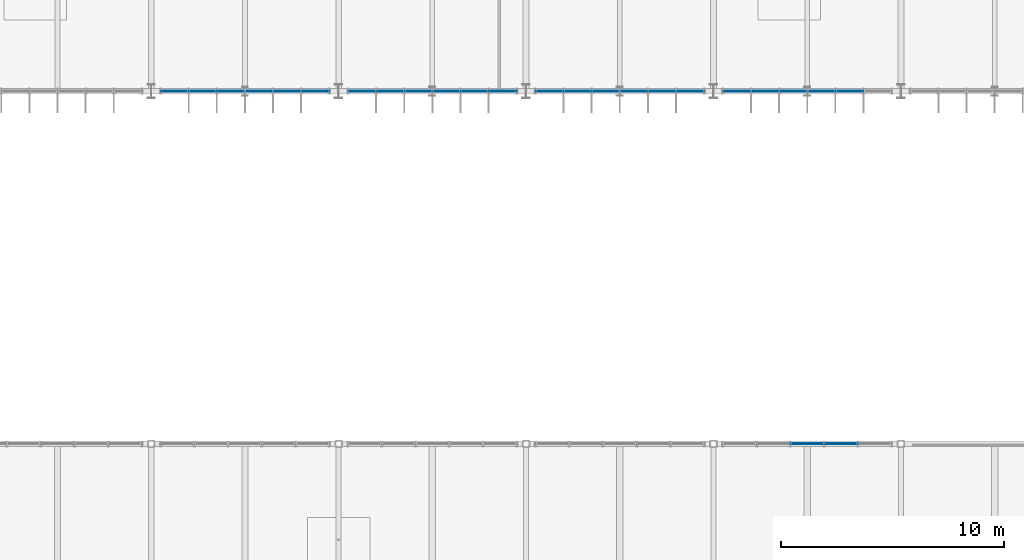
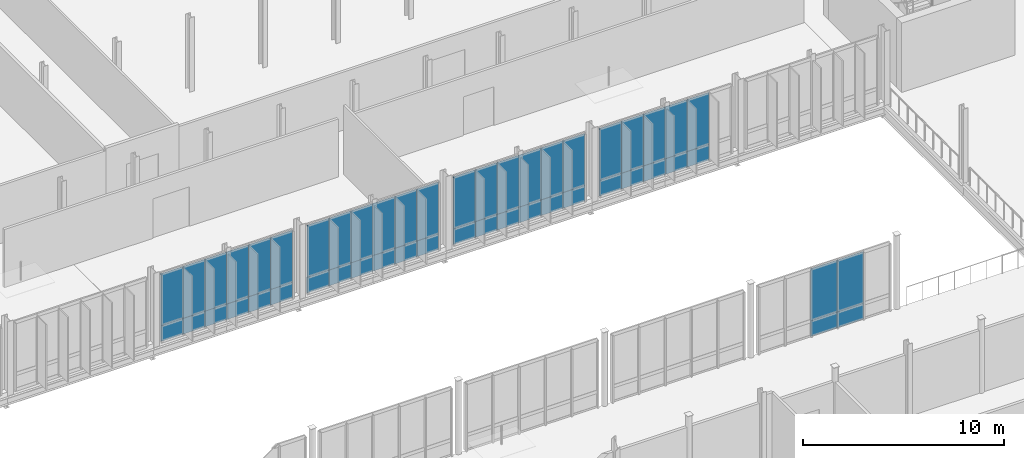
# One storey, part 89 of 139: 50 plates, 5 elements without a shape of their own.
"""IFC4 building model written with IfcOpenShell, lengths in metres."""

from ifc_helpers import new_model, si_unit, derived_unit, direction, frame, origin, origin_2d, place, context, subcontext, project, spatial, rectangle, extrude, material, layer, layer_set, type_object, element, aggregate, save


model = new_model("IFC4")

# Units and contexts
model_context = context("Model", 3, precision=1e-05, world=origin(), true_north=direction((0.0, 1.0)))
body_context = subcontext(model_context, "Body", "Model", "MODEL_VIEW")
ifc_project = project(units=[si_unit("LENGTHUNIT", "METRE"), si_unit("AREAUNIT", "SQUARE_METRE"), si_unit("VOLUMEUNIT", "CUBIC_METRE"), si_unit("PLANEANGLEUNIT", "RADIAN"), si_unit("MASSUNIT", "GRAM", prefix="KILO"), derived_unit("THERMALTRANSMITTANCEUNIT", [(si_unit("MASSUNIT", "GRAM", prefix="KILO"), 1), (si_unit("TIMEUNIT", "SECOND"), -3), (si_unit("THERMODYNAMICTEMPERATUREUNIT", "KELVIN"), -1)])], contexts=[model_context])

# Site, building, storey
site_placement = place(None, origin())
site = spatial("IfcSite", under=ifc_project, at=site_placement, CompositionType="ELEMENT")
building_placement = place(site_placement, origin())
building = spatial("IfcBuilding", under=site, at=building_placement, Name="Makaiwela Harbour Ferry Terminal", CompositionType="ELEMENT")
storey_placement = place(building_placement, frame((0.0, 0.0, 5.10009765625)))
storey = spatial("IfcBuildingStorey", under=building, at=storey_placement, Name="L01", CompositionType="ELEMENT", Elevation=5.10009765625)

# Curtain wall, plates
ifc_material_1 = material(Name="Marine anodised aluminium 6063-T6", Category="aluminium")
ifc_layer_1 = layer(ifc_material_1, 0.199951171875)
ifc_layer_set_1 = layer_set([ifc_layer_1], Name="Marine anodised aluminium 6063-T6")
curtain_wall_type = type_object("IfcCurtainWallType", Name="ENV-CW-08", PredefinedType="USERDEFINED", material=ifc_layer_set_1)
curtain_wall_1_placement = place(storey_placement, origin())
curtain_wall_1 = element("IfcCurtainWall", 1, at=curtain_wall_1_placement, inside=storey, type_object=curtain_wall_type, Name="Unitised Curtain Wall CWA-082", ObjectType="UNITIZED CURTAIN WALL", PredefinedType="USERDEFINED")
ifc_material_2 = material(Name="Laminated hurricane-impact low-E insulated glazing", Category="glass")
ifc_layer_2 = layer(ifc_material_2, 0.031982421875)
ifc_layer_set_2 = layer_set([ifc_layer_2], Name="Laminated hurricane-impact low-E insulated glazing")
plate_type_1 = type_object("IfcPlateType", Name="CW-PNL-G12", PredefinedType="CURTAIN_PANEL", material=ifc_layer_set_2)
plate_1_placement = place(storey_placement, frame((103.949951171875, 49.39990234375, 0.949951171875), z_axis=(0.0, 0.0, 1.0), x_axis=(-1.0, 0.0, 0.0)))
plate_1 = element("IfcPlate", 2, at=plate_1_placement, type_object=plate_type_1, Name="Glazed Vision Panel CWA-082-1G", PredefinedType="CURTAIN_PANEL", context=body_context, shape_type="SweptSolid", body=[
    extrude(rectangle(XDim=1.260009765625, YDim=0.031982421875, at=origin_2d()), origin(), (0.0, 0.0, 1.0), 3.14990234375),
])
plate_2_placement = place(storey_placement, frame((102.68994140625, 49.39990234375, 0.949951171875), z_axis=(0.0, 0.0, 1.0), x_axis=(-1.0, 0.0, 0.0)))
plate_2 = element("IfcPlate", 3, at=plate_2_placement, type_object=plate_type_1, Name="Glazed Vision Panel CWA-082-2G", PredefinedType="CURTAIN_PANEL", context=body_context, shape_type="SweptSolid", body=[
    extrude(rectangle(XDim=1.260009765625, YDim=0.031982421875, at=origin_2d()), origin(), (0.0, 0.0, 1.0), 3.14990234375),
])
plate_3_placement = place(storey_placement, frame((101.429931640625, 49.39990234375, 0.949951171875), z_axis=(0.0, 0.0, 1.0), x_axis=(-1.0, 0.0, 0.0)))
plate_3 = element("IfcPlate", 4, at=plate_3_placement, type_object=plate_type_1, Name="Glazed Vision Panel CWA-082-3G", PredefinedType="CURTAIN_PANEL", context=body_context, shape_type="SweptSolid", body=[
    extrude(rectangle(XDim=1.260009765625, YDim=0.031982421875, at=origin_2d()), origin(), (0.0, 0.0, 1.0), 3.14990234375),
])
plate_4_placement = place(storey_placement, frame((100.169921875, 49.39990234375, 0.949951171875), z_axis=(0.0, 0.0, 1.0), x_axis=(-1.0, 0.0, 0.0)))
plate_4 = element("IfcPlate", 5, at=plate_4_placement, type_object=plate_type_1, Name="Glazed Vision Panel CWA-082-4G", PredefinedType="CURTAIN_PANEL", context=body_context, shape_type="SweptSolid", body=[
    extrude(rectangle(XDim=1.260009765625, YDim=0.031982421875, at=origin_2d()), origin(), (0.0, 0.0, 1.0), 3.14990234375),
])
plate_5_placement = place(storey_placement, frame((98.909912109375, 49.39990234375, 0.949951171875), z_axis=(0.0, 0.0, 1.0), x_axis=(-1.0, 0.0, 0.0)))
plate_5 = element("IfcPlate", 6, at=plate_5_placement, type_object=plate_type_1, Name="Glazed Vision Panel CWA-082-5G", PredefinedType="CURTAIN_PANEL", context=body_context, shape_type="SweptSolid", body=[
    extrude(rectangle(XDim=1.260009765625, YDim=0.031982421875, at=origin_2d()), origin(), (0.0, 0.0, 1.0), 3.14990234375),
])
plate_6_placement = place(storey_placement, frame((97.64990234375, 49.39990234375, 0.949951171875), z_axis=(0.0, 0.0, 1.0), x_axis=(-1.0, 0.0, 0.0)))
plate_6 = element("IfcPlate", 7, at=plate_6_placement, type_object=plate_type_1, Name="Glazed Vision Panel CWA-082-6G", PredefinedType="CURTAIN_PANEL", context=body_context, shape_type="SweptSolid", body=[
    extrude(rectangle(XDim=1.260009765625, YDim=0.031982421875, at=origin_2d()), origin(), (0.0, 0.0, 1.0), 3.14990234375),
])

curtain_wall_2_placement = place(storey_placement, origin())
curtain_wall_2 = element("IfcCurtainWall", 8, at=curtain_wall_2_placement, inside=storey, type_object=curtain_wall_type, Name="Unitised Curtain Wall CWA-085", ObjectType="UNITIZED CURTAIN WALL", PredefinedType="USERDEFINED")
plate_7_placement = place(storey_placement, frame((112.35009765625, 49.39990234375, 0.949951171875), z_axis=(0.0, 0.0, 1.0), x_axis=(-1.0, 0.0, 0.0)))
plate_7 = element("IfcPlate", 9, at=plate_7_placement, type_object=plate_type_1, Name="Glazed Vision Panel CWA-085-1G", PredefinedType="CURTAIN_PANEL", context=body_context, shape_type="SweptSolid", body=[
    extrude(rectangle(XDim=1.260009765625, YDim=0.031982421875, at=origin_2d()), origin(), (0.0, 0.0, 1.0), 3.14990234375),
])
plate_8_placement = place(storey_placement, frame((111.090087890625, 49.39990234375, 0.949951171875), z_axis=(0.0, 0.0, 1.0), x_axis=(-1.0, 0.0, 0.0)))
plate_8 = element("IfcPlate", 10, at=plate_8_placement, type_object=plate_type_1, Name="Glazed Vision Panel CWA-085-2G", PredefinedType="CURTAIN_PANEL", context=body_context, shape_type="SweptSolid", body=[
    extrude(rectangle(XDim=1.260009765625, YDim=0.031982421875, at=origin_2d()), origin(), (0.0, 0.0, 1.0), 3.14990234375),
])
plate_9_placement = place(storey_placement, frame((109.830078125, 49.39990234375, 0.949951171875), z_axis=(0.0, 0.0, 1.0), x_axis=(-1.0, 0.0, 0.0)))
plate_9 = element("IfcPlate", 11, at=plate_9_placement, type_object=plate_type_1, Name="Glazed Vision Panel CWA-085-3G", PredefinedType="CURTAIN_PANEL", context=body_context, shape_type="SweptSolid", body=[
    extrude(rectangle(XDim=1.260009765625, YDim=0.031982421875, at=origin_2d()), origin(), (0.0, 0.0, 1.0), 3.14990234375),
])
plate_10_placement = place(storey_placement, frame((108.570068359375, 49.39990234375, 0.949951171875), z_axis=(0.0, 0.0, 1.0), x_axis=(-1.0, 0.0, 0.0)))
plate_10 = element("IfcPlate", 12, at=plate_10_placement, type_object=plate_type_1, Name="Glazed Vision Panel CWA-085-4G", PredefinedType="CURTAIN_PANEL", context=body_context, shape_type="SweptSolid", body=[
    extrude(rectangle(XDim=1.260009765625, YDim=0.031982421875, at=origin_2d()), origin(), (0.0, 0.0, 1.0), 3.14990234375),
])
plate_11_placement = place(storey_placement, frame((107.31005859375, 49.39990234375, 0.949951171875), z_axis=(0.0, 0.0, 1.0), x_axis=(-1.0, 0.0, 0.0)))
plate_11 = element("IfcPlate", 13, at=plate_11_placement, type_object=plate_type_1, Name="Glazed Vision Panel CWA-085-5G", PredefinedType="CURTAIN_PANEL", context=body_context, shape_type="SweptSolid", body=[
    extrude(rectangle(XDim=1.260009765625, YDim=0.031982421875, at=origin_2d()), origin(), (0.0, 0.0, 1.0), 3.14990234375),
])
plate_12_placement = place(storey_placement, frame((106.050048828125, 49.39990234375, 0.949951171875), z_axis=(0.0, 0.0, 1.0), x_axis=(-1.0, 0.0, 0.0)))
plate_12 = element("IfcPlate", 14, at=plate_12_placement, type_object=plate_type_1, Name="Glazed Vision Panel CWA-085-6G", PredefinedType="CURTAIN_PANEL", context=body_context, shape_type="SweptSolid", body=[
    extrude(rectangle(XDim=1.260009765625, YDim=0.031982421875, at=origin_2d()), origin(), (0.0, 0.0, 1.0), 3.14990234375),
])

curtain_wall_3_placement = place(storey_placement, origin())
curtain_wall_3 = element("IfcCurtainWall", 15, at=curtain_wall_3_placement, inside=storey, type_object=curtain_wall_type, Name="Unitised Curtain Wall CWA-088", ObjectType="UNITIZED CURTAIN WALL", PredefinedType="USERDEFINED")
plate_13_placement = place(storey_placement, frame((120.75, 49.39990234375, 0.949951171875), z_axis=(0.0, 0.0, 1.0), x_axis=(-1.0, 0.0, 0.0)))
plate_13 = element("IfcPlate", 16, at=plate_13_placement, type_object=plate_type_1, Name="Glazed Vision Panel CWA-088-1G", PredefinedType="CURTAIN_PANEL", context=body_context, shape_type="SweptSolid", body=[
    extrude(rectangle(XDim=1.260009765625, YDim=0.031982421875, at=origin_2d()), origin(), (0.0, 0.0, 1.0), 3.14990234375),
])
plate_14_placement = place(storey_placement, frame((119.489990234375, 49.39990234375, 0.949951171875), z_axis=(0.0, 0.0, 1.0), x_axis=(-1.0, 0.0, 0.0)))
plate_14 = element("IfcPlate", 17, at=plate_14_placement, type_object=plate_type_1, Name="Glazed Vision Panel CWA-088-2G", PredefinedType="CURTAIN_PANEL", context=body_context, shape_type="SweptSolid", body=[
    extrude(rectangle(XDim=1.260009765625, YDim=0.031982421875, at=origin_2d()), origin(), (0.0, 0.0, 1.0), 3.14990234375),
])
plate_15_placement = place(storey_placement, frame((118.22998046875, 49.39990234375, 0.949951171875), z_axis=(0.0, 0.0, 1.0), x_axis=(-1.0, 0.0, 0.0)))
plate_15 = element("IfcPlate", 18, at=plate_15_placement, type_object=plate_type_1, Name="Glazed Vision Panel CWA-088-3G", PredefinedType="CURTAIN_PANEL", context=body_context, shape_type="SweptSolid", body=[
    extrude(rectangle(XDim=1.260009765625, YDim=0.031982421875, at=origin_2d()), origin(), (0.0, 0.0, 1.0), 3.14990234375),
])
plate_16_placement = place(storey_placement, frame((116.969970703125, 49.39990234375, 0.949951171875), z_axis=(0.0, 0.0, 1.0), x_axis=(-1.0, 0.0, 0.0)))
plate_16 = element("IfcPlate", 19, at=plate_16_placement, type_object=plate_type_1, Name="Glazed Vision Panel CWA-088-4G", PredefinedType="CURTAIN_PANEL", context=body_context, shape_type="SweptSolid", body=[
    extrude(rectangle(XDim=1.260009765625, YDim=0.031982421875, at=origin_2d()), origin(), (0.0, 0.0, 1.0), 3.14990234375),
])
plate_17_placement = place(storey_placement, frame((115.7099609375, 49.39990234375, 0.949951171875), z_axis=(0.0, 0.0, 1.0), x_axis=(-1.0, 0.0, 0.0)))
plate_17 = element("IfcPlate", 20, at=plate_17_placement, type_object=plate_type_1, Name="Glazed Vision Panel CWA-088-5G", PredefinedType="CURTAIN_PANEL", context=body_context, shape_type="SweptSolid", body=[
    extrude(rectangle(XDim=1.260009765625, YDim=0.031982421875, at=origin_2d()), origin(), (0.0, 0.0, 1.0), 3.14990234375),
])
plate_18_placement = place(storey_placement, frame((114.449951171875, 49.39990234375, 0.949951171875), z_axis=(0.0, 0.0, 1.0), x_axis=(-1.0, 0.0, 0.0)))
plate_18 = element("IfcPlate", 21, at=plate_18_placement, type_object=plate_type_1, Name="Glazed Vision Panel CWA-088-6G", PredefinedType="CURTAIN_PANEL", context=body_context, shape_type="SweptSolid", body=[
    extrude(rectangle(XDim=1.260009765625, YDim=0.031982421875, at=origin_2d()), origin(), (0.0, 0.0, 1.0), 3.14990234375),
])

curtain_wall_4_placement = place(storey_placement, origin())
curtain_wall_4 = element("IfcCurtainWall", 22, at=curtain_wall_4_placement, inside=storey, type_object=curtain_wall_type, Name="Unitised Curtain Wall CWA-092", ObjectType="UNITIZED CURTAIN WALL", PredefinedType="USERDEFINED")
plate_19_placement = place(storey_placement, frame((127.889892578125, 49.39990234375, 0.949951171875), z_axis=(0.0, 0.0, 1.0), x_axis=(-1.0, 0.0, 0.0)))
plate_19 = element("IfcPlate", 23, at=plate_19_placement, type_object=plate_type_1, Name="Glazed Vision Panel CWA-092-2G", PredefinedType="CURTAIN_PANEL", context=body_context, shape_type="SweptSolid", body=[
    extrude(rectangle(XDim=1.260009765625, YDim=0.031982421875, at=origin_2d()), origin(), (0.0, 0.0, 1.0), 3.14990234375),
])
plate_20_placement = place(storey_placement, frame((126.6298828125, 49.39990234375, 0.949951171875), z_axis=(0.0, 0.0, 1.0), x_axis=(-1.0, 0.0, 0.0)))
plate_20 = element("IfcPlate", 24, at=plate_20_placement, type_object=plate_type_1, Name="Glazed Vision Panel CWA-092-3G", PredefinedType="CURTAIN_PANEL", context=body_context, shape_type="SweptSolid", body=[
    extrude(rectangle(XDim=1.260009765625, YDim=0.031982421875, at=origin_2d()), origin(), (0.0, 0.0, 1.0), 3.14990234375),
])
plate_21_placement = place(storey_placement, frame((125.3701171875, 49.39990234375, 0.949951171875), z_axis=(0.0, 0.0, 1.0), x_axis=(-1.0, 0.0, 0.0)))
plate_21 = element("IfcPlate", 25, at=plate_21_placement, type_object=plate_type_1, Name="Glazed Vision Panel CWA-092-4G", PredefinedType="CURTAIN_PANEL", context=body_context, shape_type="SweptSolid", body=[
    extrude(rectangle(XDim=1.260009765625, YDim=0.031982421875, at=origin_2d()), origin(), (0.0, 0.0, 1.0), 3.14990234375),
])
plate_22_placement = place(storey_placement, frame((124.110107421875, 49.39990234375, 0.949951171875), z_axis=(0.0, 0.0, 1.0), x_axis=(-1.0, 0.0, 0.0)))
plate_22 = element("IfcPlate", 26, at=plate_22_placement, type_object=plate_type_1, Name="Glazed Vision Panel CWA-092-5G", PredefinedType="CURTAIN_PANEL", context=body_context, shape_type="SweptSolid", body=[
    extrude(rectangle(XDim=1.260009765625, YDim=0.031982421875, at=origin_2d()), origin(), (0.0, 0.0, 1.0), 3.14990234375),
])
plate_23_placement = place(storey_placement, frame((122.85009765625, 49.39990234375, 0.949951171875), z_axis=(0.0, 0.0, 1.0), x_axis=(-1.0, 0.0, 0.0)))
plate_23 = element("IfcPlate", 27, at=plate_23_placement, type_object=plate_type_1, Name="Glazed Vision Panel CWA-092-6G", PredefinedType="CURTAIN_PANEL", context=body_context, shape_type="SweptSolid", body=[
    extrude(rectangle(XDim=1.260009765625, YDim=0.031982421875, at=origin_2d()), origin(), (0.0, 0.0, 1.0), 3.14990234375),
])

curtain_wall_5_placement = place(storey_placement, origin())
curtain_wall_5 = element("IfcCurtainWall", 28, at=curtain_wall_5_placement, inside=storey, type_object=curtain_wall_type, Name="Unitised Curtain Wall CWA-151", ObjectType="UNITIZED CURTAIN WALL", PredefinedType="USERDEFINED")
ifc_layer_3 = layer(ifc_material_2, 0.031982421875)
ifc_layer_set_3 = layer_set([ifc_layer_3], Name="Laminated hurricane-impact low-E insulated glazing")
plate_type_2 = type_object("IfcPlateType", Name="CW-PNL-G32", PredefinedType="CURTAIN_PANEL", material=ifc_layer_set_3)
plate_24_placement = place(storey_placement, frame((127.511962890625, 33.60009765625, 0.949951171875), z_axis=(0.0, 0.0, 1.0), x_axis=(-1.0, 0.0, 0.0)))
plate_24 = element("IfcPlate", 29, at=plate_24_placement, type_object=plate_type_2, Name="Glazed Vision Panel CWA-151-2G", PredefinedType="CURTAIN_PANEL", context=body_context, shape_type="SweptSolid", body=[
    extrude(rectangle(XDim=1.511962890625, YDim=0.031982421875, at=origin_2d()), origin(), (0.0, 0.0, 1.0), 3.14990234375),
])
plate_25_placement = place(storey_placement, frame((126.0, 33.60009765625, 0.949951171875), z_axis=(0.0, 0.0, 1.0), x_axis=(-1.0, 0.0, 0.0)))
plate_25 = element("IfcPlate", 30, at=plate_25_placement, type_object=plate_type_2, Name="Glazed Vision Panel CWA-151-3G", PredefinedType="CURTAIN_PANEL", context=body_context, shape_type="SweptSolid", body=[
    extrude(rectangle(XDim=1.511962890625, YDim=0.031982421875, at=origin_2d()), origin(), (0.0, 0.0, 1.0), 3.14990234375),
])

# Plate
ifc_material_3 = material(Name="Insulated marine aluminium spandrel panel", Category="aluminium")
ifc_layer_4 = layer(ifc_material_3, 0.048095703125)
ifc_layer_set_4 = layer_set([ifc_layer_4], Name="Insulated marine aluminium spandrel panel")
plate_type_3 = type_object("IfcPlateType", Name="CW-PNL-S11", PredefinedType="CURTAIN_PANEL", material=ifc_layer_set_4)
plate_26_placement = place(storey_placement, frame((103.949951171875, 49.39990234375, 0.0), z_axis=(0.0, 0.0, 1.0), x_axis=(-1.0, 0.0, 0.0)))
plate_26 = element("IfcPlate", 31, at=plate_26_placement, type_object=plate_type_3, Name="Spandrel Panel CWA-082-1S", PredefinedType="CURTAIN_PANEL", context=body_context, shape_type="SweptSolid", body=[
    extrude(rectangle(XDim=1.260009765625, YDim=0.048095703125, at=origin_2d()), origin(), (0.0, 0.0, 1.0), 0.949951171875),
])

plate_27_placement = place(storey_placement, frame((102.68994140625, 49.39990234375, 0.0), z_axis=(0.0, 0.0, 1.0), x_axis=(-1.0, 0.0, 0.0)))
plate_27 = element("IfcPlate", 32, at=plate_27_placement, type_object=plate_type_3, Name="Spandrel Panel CWA-082-2S", PredefinedType="CURTAIN_PANEL", context=body_context, shape_type="SweptSolid", body=[
    extrude(rectangle(XDim=1.260009765625, YDim=0.048095703125, at=origin_2d()), origin(), (0.0, 0.0, 1.0), 0.949951171875),
])

plate_28_placement = place(storey_placement, frame((101.429931640625, 49.39990234375, 0.0), z_axis=(0.0, 0.0, 1.0), x_axis=(-1.0, 0.0, 0.0)))
plate_28 = element("IfcPlate", 33, at=plate_28_placement, type_object=plate_type_3, Name="Spandrel Panel CWA-082-3S", PredefinedType="CURTAIN_PANEL", context=body_context, shape_type="SweptSolid", body=[
    extrude(rectangle(XDim=1.260009765625, YDim=0.048095703125, at=origin_2d()), origin(), (0.0, 0.0, 1.0), 0.949951171875),
])

plate_29_placement = place(storey_placement, frame((100.169921875, 49.39990234375, 0.0), z_axis=(0.0, 0.0, 1.0), x_axis=(-1.0, 0.0, 0.0)))
plate_29 = element("IfcPlate", 34, at=plate_29_placement, type_object=plate_type_3, Name="Spandrel Panel CWA-082-4S", PredefinedType="CURTAIN_PANEL", context=body_context, shape_type="SweptSolid", body=[
    extrude(rectangle(XDim=1.260009765625, YDim=0.048095703125, at=origin_2d()), origin(), (0.0, 0.0, 1.0), 0.949951171875),
])

plate_30_placement = place(storey_placement, frame((98.909912109375, 49.39990234375, 0.0), z_axis=(0.0, 0.0, 1.0), x_axis=(-1.0, 0.0, 0.0)))
plate_30 = element("IfcPlate", 35, at=plate_30_placement, type_object=plate_type_3, Name="Spandrel Panel CWA-082-5S", PredefinedType="CURTAIN_PANEL", context=body_context, shape_type="SweptSolid", body=[
    extrude(rectangle(XDim=1.260009765625, YDim=0.048095703125, at=origin_2d()), origin(), (0.0, 0.0, 1.0), 0.949951171875),
])

plate_31_placement = place(storey_placement, frame((97.64990234375, 49.39990234375, 0.0), z_axis=(0.0, 0.0, 1.0), x_axis=(-1.0, 0.0, 0.0)))
plate_31 = element("IfcPlate", 36, at=plate_31_placement, type_object=plate_type_3, Name="Spandrel Panel CWA-082-6S", PredefinedType="CURTAIN_PANEL", context=body_context, shape_type="SweptSolid", body=[
    extrude(rectangle(XDim=1.260009765625, YDim=0.048095703125, at=origin_2d()), origin(), (0.0, 0.0, 1.0), 0.949951171875),
])

aggregate(curtain_wall_1, [plate_26, plate_1, plate_27, plate_2, plate_28, plate_3, plate_29, plate_4, plate_30, plate_5, plate_31, plate_6])

plate_32_placement = place(storey_placement, frame((112.35009765625, 49.39990234375, 0.0), z_axis=(0.0, 0.0, 1.0), x_axis=(-1.0, 0.0, 0.0)))
plate_32 = element("IfcPlate", 37, at=plate_32_placement, type_object=plate_type_3, Name="Spandrel Panel CWA-085-1S", PredefinedType="CURTAIN_PANEL", context=body_context, shape_type="SweptSolid", body=[
    extrude(rectangle(XDim=1.260009765625, YDim=0.048095703125, at=origin_2d()), origin(), (0.0, 0.0, 1.0), 0.949951171875),
])

plate_33_placement = place(storey_placement, frame((111.090087890625, 49.39990234375, 0.0), z_axis=(0.0, 0.0, 1.0), x_axis=(-1.0, 0.0, 0.0)))
plate_33 = element("IfcPlate", 38, at=plate_33_placement, type_object=plate_type_3, Name="Spandrel Panel CWA-085-2S", PredefinedType="CURTAIN_PANEL", context=body_context, shape_type="SweptSolid", body=[
    extrude(rectangle(XDim=1.260009765625, YDim=0.048095703125, at=origin_2d()), origin(), (0.0, 0.0, 1.0), 0.949951171875),
])

plate_34_placement = place(storey_placement, frame((109.830078125, 49.39990234375, 0.0), z_axis=(0.0, 0.0, 1.0), x_axis=(-1.0, 0.0, 0.0)))
plate_34 = element("IfcPlate", 39, at=plate_34_placement, type_object=plate_type_3, Name="Spandrel Panel CWA-085-3S", PredefinedType="CURTAIN_PANEL", context=body_context, shape_type="SweptSolid", body=[
    extrude(rectangle(XDim=1.260009765625, YDim=0.048095703125, at=origin_2d()), origin(), (0.0, 0.0, 1.0), 0.949951171875),
])

plate_35_placement = place(storey_placement, frame((108.570068359375, 49.39990234375, 0.0), z_axis=(0.0, 0.0, 1.0), x_axis=(-1.0, 0.0, 0.0)))
plate_35 = element("IfcPlate", 40, at=plate_35_placement, type_object=plate_type_3, Name="Spandrel Panel CWA-085-4S", PredefinedType="CURTAIN_PANEL", context=body_context, shape_type="SweptSolid", body=[
    extrude(rectangle(XDim=1.260009765625, YDim=0.048095703125, at=origin_2d()), origin(), (0.0, 0.0, 1.0), 0.949951171875),
])

plate_36_placement = place(storey_placement, frame((107.31005859375, 49.39990234375, 0.0), z_axis=(0.0, 0.0, 1.0), x_axis=(-1.0, 0.0, 0.0)))
plate_36 = element("IfcPlate", 41, at=plate_36_placement, type_object=plate_type_3, Name="Spandrel Panel CWA-085-5S", PredefinedType="CURTAIN_PANEL", context=body_context, shape_type="SweptSolid", body=[
    extrude(rectangle(XDim=1.260009765625, YDim=0.048095703125, at=origin_2d()), origin(), (0.0, 0.0, 1.0), 0.949951171875),
])

plate_37_placement = place(storey_placement, frame((106.050048828125, 49.39990234375, 0.0), z_axis=(0.0, 0.0, 1.0), x_axis=(-1.0, 0.0, 0.0)))
plate_37 = element("IfcPlate", 42, at=plate_37_placement, type_object=plate_type_3, Name="Spandrel Panel CWA-085-6S", PredefinedType="CURTAIN_PANEL", context=body_context, shape_type="SweptSolid", body=[
    extrude(rectangle(XDim=1.260009765625, YDim=0.048095703125, at=origin_2d()), origin(), (0.0, 0.0, 1.0), 0.949951171875),
])

aggregate(curtain_wall_2, [plate_32, plate_7, plate_33, plate_8, plate_34, plate_9, plate_35, plate_10, plate_36, plate_11, plate_37, plate_12])

plate_38_placement = place(storey_placement, frame((120.75, 49.39990234375, 0.0), z_axis=(0.0, 0.0, 1.0), x_axis=(-1.0, 0.0, 0.0)))
plate_38 = element("IfcPlate", 43, at=plate_38_placement, type_object=plate_type_3, Name="Spandrel Panel CWA-088-1S", PredefinedType="CURTAIN_PANEL", context=body_context, shape_type="SweptSolid", body=[
    extrude(rectangle(XDim=1.260009765625, YDim=0.048095703125, at=origin_2d()), origin(), (0.0, 0.0, 1.0), 0.949951171875),
])

plate_39_placement = place(storey_placement, frame((119.489990234375, 49.39990234375, 0.0), z_axis=(0.0, 0.0, 1.0), x_axis=(-1.0, 0.0, 0.0)))
plate_39 = element("IfcPlate", 44, at=plate_39_placement, type_object=plate_type_3, Name="Spandrel Panel CWA-088-2S", PredefinedType="CURTAIN_PANEL", context=body_context, shape_type="SweptSolid", body=[
    extrude(rectangle(XDim=1.260009765625, YDim=0.048095703125, at=origin_2d()), origin(), (0.0, 0.0, 1.0), 0.949951171875),
])

plate_40_placement = place(storey_placement, frame((118.22998046875, 49.39990234375, 0.0), z_axis=(0.0, 0.0, 1.0), x_axis=(-1.0, 0.0, 0.0)))
plate_40 = element("IfcPlate", 45, at=plate_40_placement, type_object=plate_type_3, Name="Spandrel Panel CWA-088-3S", PredefinedType="CURTAIN_PANEL", context=body_context, shape_type="SweptSolid", body=[
    extrude(rectangle(XDim=1.260009765625, YDim=0.048095703125, at=origin_2d()), origin(), (0.0, 0.0, 1.0), 0.949951171875),
])

plate_41_placement = place(storey_placement, frame((116.969970703125, 49.39990234375, 0.0), z_axis=(0.0, 0.0, 1.0), x_axis=(-1.0, 0.0, 0.0)))
plate_41 = element("IfcPlate", 46, at=plate_41_placement, type_object=plate_type_3, Name="Spandrel Panel CWA-088-4S", PredefinedType="CURTAIN_PANEL", context=body_context, shape_type="SweptSolid", body=[
    extrude(rectangle(XDim=1.260009765625, YDim=0.048095703125, at=origin_2d()), origin(), (0.0, 0.0, 1.0), 0.949951171875),
])

plate_42_placement = place(storey_placement, frame((115.7099609375, 49.39990234375, 0.0), z_axis=(0.0, 0.0, 1.0), x_axis=(-1.0, 0.0, 0.0)))
plate_42 = element("IfcPlate", 47, at=plate_42_placement, type_object=plate_type_3, Name="Spandrel Panel CWA-088-5S", PredefinedType="CURTAIN_PANEL", context=body_context, shape_type="SweptSolid", body=[
    extrude(rectangle(XDim=1.260009765625, YDim=0.048095703125, at=origin_2d()), origin(), (0.0, 0.0, 1.0), 0.949951171875),
])

plate_43_placement = place(storey_placement, frame((114.449951171875, 49.39990234375, 0.0), z_axis=(0.0, 0.0, 1.0), x_axis=(-1.0, 0.0, 0.0)))
plate_43 = element("IfcPlate", 48, at=plate_43_placement, type_object=plate_type_3, Name="Spandrel Panel CWA-088-6S", PredefinedType="CURTAIN_PANEL", context=body_context, shape_type="SweptSolid", body=[
    extrude(rectangle(XDim=1.260009765625, YDim=0.048095703125, at=origin_2d()), origin(), (0.0, 0.0, 1.0), 0.949951171875),
])

aggregate(curtain_wall_3, [plate_38, plate_13, plate_39, plate_14, plate_40, plate_15, plate_41, plate_16, plate_42, plate_17, plate_43, plate_18])

plate_44_placement = place(storey_placement, frame((127.889892578125, 49.39990234375, 0.0), z_axis=(0.0, 0.0, 1.0), x_axis=(-1.0, 0.0, 0.0)))
plate_44 = element("IfcPlate", 49, at=plate_44_placement, type_object=plate_type_3, Name="Spandrel Panel CWA-092-2S", PredefinedType="CURTAIN_PANEL", context=body_context, shape_type="SweptSolid", body=[
    extrude(rectangle(XDim=1.260009765625, YDim=0.048095703125, at=origin_2d()), origin(), (0.0, 0.0, 1.0), 0.949951171875),
])

plate_45_placement = place(storey_placement, frame((126.6298828125, 49.39990234375, 0.0), z_axis=(0.0, 0.0, 1.0), x_axis=(-1.0, 0.0, 0.0)))
plate_45 = element("IfcPlate", 50, at=plate_45_placement, type_object=plate_type_3, Name="Spandrel Panel CWA-092-3S", PredefinedType="CURTAIN_PANEL", context=body_context, shape_type="SweptSolid", body=[
    extrude(rectangle(XDim=1.260009765625, YDim=0.048095703125, at=origin_2d()), origin(), (0.0, 0.0, 1.0), 0.949951171875),
])

plate_46_placement = place(storey_placement, frame((125.3701171875, 49.39990234375, 0.0), z_axis=(0.0, 0.0, 1.0), x_axis=(-1.0, 0.0, 0.0)))
plate_46 = element("IfcPlate", 51, at=plate_46_placement, type_object=plate_type_3, Name="Spandrel Panel CWA-092-4S", PredefinedType="CURTAIN_PANEL", context=body_context, shape_type="SweptSolid", body=[
    extrude(rectangle(XDim=1.260009765625, YDim=0.048095703125, at=origin_2d()), origin(), (0.0, 0.0, 1.0), 0.949951171875),
])

plate_47_placement = place(storey_placement, frame((124.110107421875, 49.39990234375, 0.0), z_axis=(0.0, 0.0, 1.0), x_axis=(-1.0, 0.0, 0.0)))
plate_47 = element("IfcPlate", 52, at=plate_47_placement, type_object=plate_type_3, Name="Spandrel Panel CWA-092-5S", PredefinedType="CURTAIN_PANEL", context=body_context, shape_type="SweptSolid", body=[
    extrude(rectangle(XDim=1.260009765625, YDim=0.048095703125, at=origin_2d()), origin(), (0.0, 0.0, 1.0), 0.949951171875),
])

plate_48_placement = place(storey_placement, frame((122.85009765625, 49.39990234375, 0.0), z_axis=(0.0, 0.0, 1.0), x_axis=(-1.0, 0.0, 0.0)))
plate_48 = element("IfcPlate", 53, at=plate_48_placement, type_object=plate_type_3, Name="Spandrel Panel CWA-092-6S", PredefinedType="CURTAIN_PANEL", context=body_context, shape_type="SweptSolid", body=[
    extrude(rectangle(XDim=1.260009765625, YDim=0.048095703125, at=origin_2d()), origin(), (0.0, 0.0, 1.0), 0.949951171875),
])

aggregate(curtain_wall_4, [plate_44, plate_19, plate_45, plate_20, plate_46, plate_21, plate_47, plate_22, plate_48, plate_23])

ifc_layer_5 = layer(ifc_material_3, 0.048095703125)
ifc_layer_set_5 = layer_set([ifc_layer_5], Name="Insulated marine aluminium spandrel panel")
plate_type_4 = type_object("IfcPlateType", Name="CW-PNL-S30", PredefinedType="CURTAIN_PANEL", material=ifc_layer_set_5)
plate_49_placement = place(storey_placement, frame((127.511962890625, 33.60009765625, 0.0), z_axis=(0.0, 0.0, 1.0), x_axis=(-1.0, 0.0, 0.0)))
plate_49 = element("IfcPlate", 54, at=plate_49_placement, type_object=plate_type_4, Name="Spandrel Panel CWA-151-2S", PredefinedType="CURTAIN_PANEL", context=body_context, shape_type="SweptSolid", body=[
    extrude(rectangle(XDim=1.511962890625, YDim=0.048095703125, at=origin_2d()), origin(), (0.0, 0.0, 1.0), 0.949951171875),
])

plate_50_placement = place(storey_placement, frame((126.0, 33.60009765625, 0.0), z_axis=(0.0, 0.0, 1.0), x_axis=(-1.0, 0.0, 0.0)))
plate_50 = element("IfcPlate", 55, at=plate_50_placement, type_object=plate_type_4, Name="Spandrel Panel CWA-151-3S", PredefinedType="CURTAIN_PANEL", context=body_context, shape_type="SweptSolid", body=[
    extrude(rectangle(XDim=1.511962890625, YDim=0.048095703125, at=origin_2d()), origin(), (0.0, 0.0, 1.0), 0.949951171875),
])

aggregate(curtain_wall_5, [plate_49, plate_24, plate_50, plate_25])

save(model, "model.ifc")
